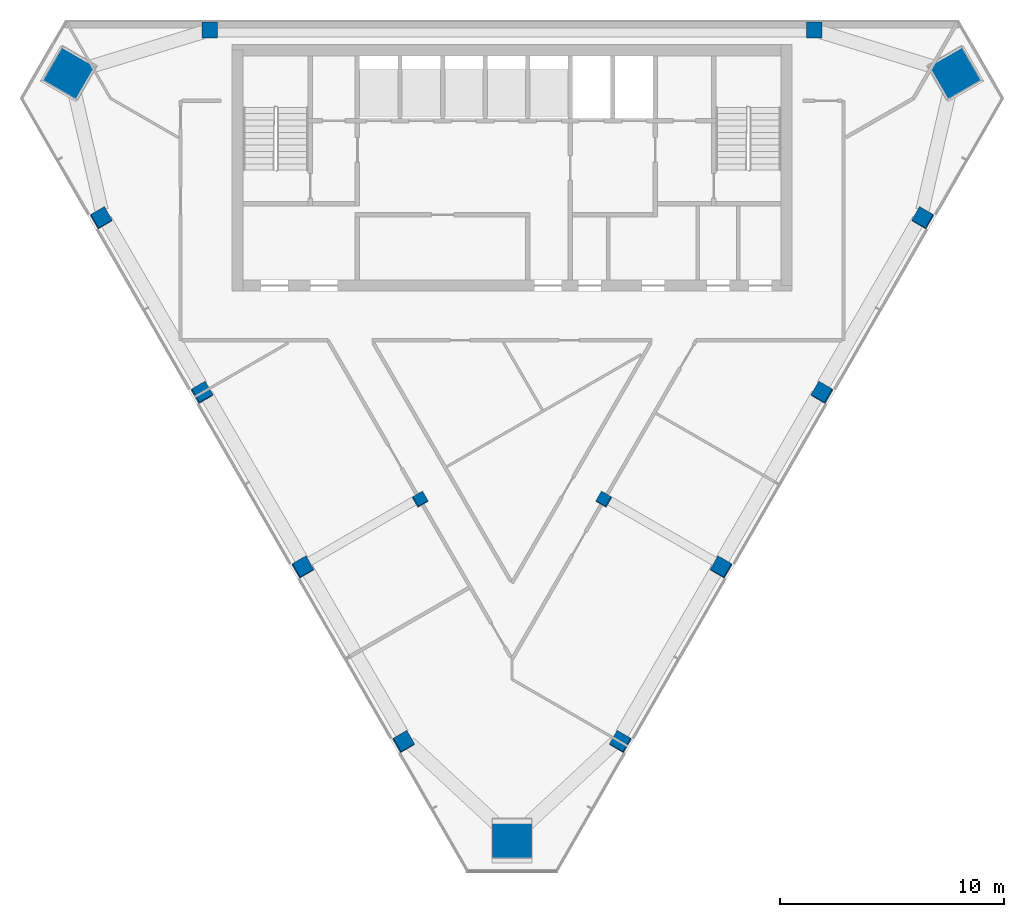
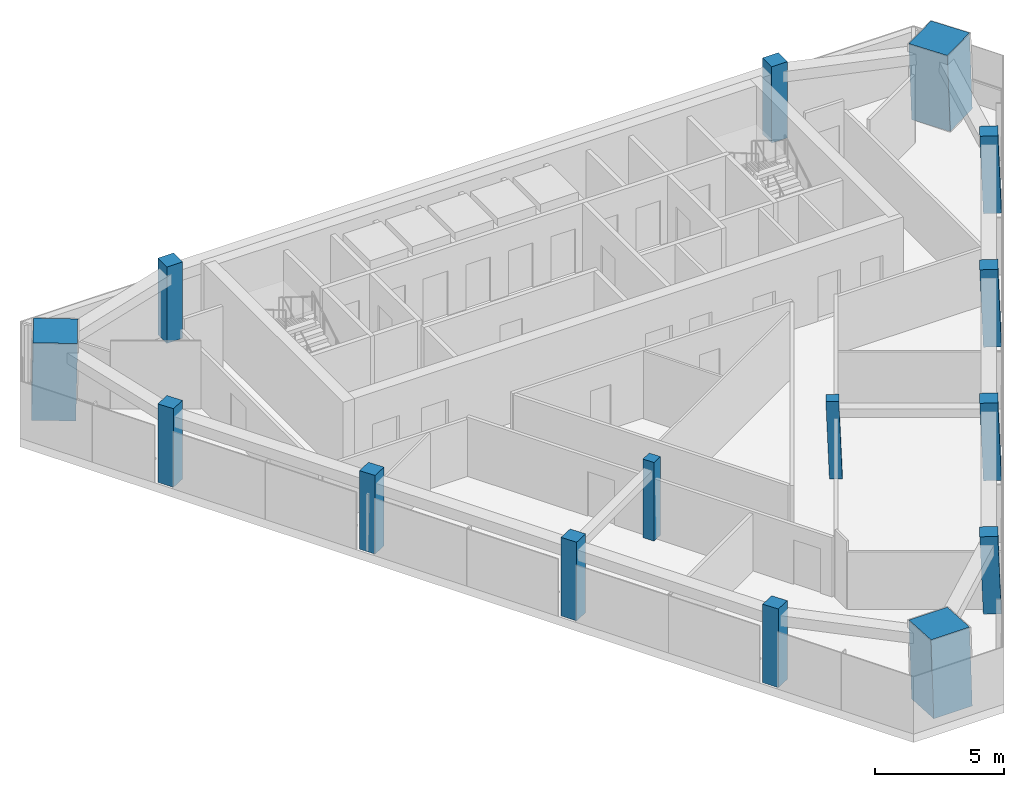
# One storey, part 1 of 9: 15 columns.
"""IFC4 building model written with IfcOpenShell, lengths in metres."""

from ifc_helpers import new_model, si_unit, direction, frame, origin, origin_2d, place, context, subcontext, project, spatial, rectangle, extrude, material, material_profile, profile_set, type_object, element, save


model = new_model("IFC4")

# Units and contexts
model_context = context("Model", 3, precision=1e-05, world=origin(), true_north=direction((0.0, 1.0)))
body_context = subcontext(model_context, "Body", "Model", "MODEL_VIEW")
ifc_project = project(units=[si_unit("LENGTHUNIT", "METRE"), si_unit("AREAUNIT", "SQUARE_METRE"), si_unit("VOLUMEUNIT", "CUBIC_METRE"), si_unit("PLANEANGLEUNIT", "RADIAN"), si_unit("MASSUNIT", "GRAM", prefix="KILO")], contexts=[model_context])

# Site, building, storey
site_placement = place(None, origin())
site = spatial("IfcSite", under=ifc_project, at=site_placement, CompositionType="ELEMENT")
building_placement = place(site_placement, origin())
building = spatial("IfcBuilding", under=site, at=building_placement, Name="Altiplano Prism Tower", CompositionType="ELEMENT")
storey_placement = place(building_placement, frame((0.0, 0.0, 305.800048828125)))
storey = spatial("IfcBuildingStorey", under=building, at=storey_placement, Name="L79", CompositionType="ELEMENT", Elevation=305.800048828125)

# Columns
ifc_material_1 = material(Name="Concrete C60/75", Category="concrete")
ifc_material_profile_1 = material_profile(ifc_material_1, rectangle(XDim=0.5, YDim=0.5, at=origin_2d()), Name="Inner column 500")
ifc_profile_set_1 = profile_set([ifc_material_profile_1], Name="Concrete C60/75")
column_type_1 = type_object("IfcColumnType", Name="Inner column 500", PredefinedType="COLUMN", material=ifc_profile_set_1)
for number, where, z_axis, x_axis, name in (
    (1, (80.886962890625, 83.58203125, -0.01513671875), (0.022222910879, 0.038415824599, 0.999014697916), (-0.866021304918, -0.498527702769, 0.038434736893), "Inner column I13 L79"),
    (2, (89.113037109375, 83.58203125, -0.01513671875), (-0.022222910879, 0.038415824599, 0.999014697916), (-0.499508333977, -0.866024832635, 0.02219039312), "Inner column I22 L79"),
):
    element("IfcColumn", number, at=place(storey_placement, frame(where, z_axis=z_axis, x_axis=x_axis)), inside=storey, type_object=column_type_1, Name=name, PredefinedType="COLUMN", context=body_context, shape_type="SweptSolid", body=[
        extrude(rectangle(XDim=0.5, YDim=0.5, at=origin_2d()), origin(), (0.0, 0.0, 1.0), 3.603515625),
    ])
ifc_material_2 = material(Name="Concrete C70/85", Category="concrete")
ifc_material_profile_2 = material_profile(ifc_material_2, rectangle(XDim=1.719970703125, YDim=1.719970703125, at=origin_2d()), Name="Mega column infill 1800")
ifc_profile_set_2 = profile_set([ifc_material_profile_2], Name="Concrete C70/85")
column_type_2 = type_object("IfcColumnType", Name="Mega column infill 1800", PredefinedType="COLUMN", material=ifc_profile_set_2)
column_1_placement = place(storey_placement, frame((65.171630859375, 102.60107421875, 0.0), z_axis=(0.028403739082, 0.009219352065, 0.999554016126), x_axis=(-0.865122977787, 0.501162431083, 0.01996123683)))
element("IfcColumn", 3, at=column_1_placement, inside=storey, type_object=column_type_2, Name="Mega column M0 L79", PredefinedType="COLUMN", context=body_context, shape_type="SweptSolid", body=[
    extrude(rectangle(XDim=1.719970703125, YDim=1.719970703125, at=origin_2d()), origin(), (0.0, 0.0, 1.0), 3.6015625),
])
column_2_placement = place(storey_placement, frame((85.0, 68.25732421875, 0.0), z_axis=(0.0, 0.058293378456, 0.998299495156), x_axis=(-1.0, 0.0, 0.0)))
element("IfcColumn", 4, at=column_2_placement, inside=storey, type_object=column_type_2, Name="Mega column M1 L79", PredefinedType="COLUMN", context=body_context, shape_type="SweptSolid", body=[
    extrude(rectangle(XDim=1.719970703125, YDim=1.719970703125, at=origin_2d()), origin(), (0.0, 0.0, 1.0), 3.60595703125),
])
column_3_placement = place(storey_placement, frame((104.828369140625, 102.60107421875, 0.0), z_axis=(-0.028403739082, 0.009219352065, 0.999554016126), x_axis=(0.500754891051, -0.865304120652, 0.022210760241)))
element("IfcColumn", 5, at=column_3_placement, inside=storey, type_object=column_type_2, Name="Mega column M2 L79", PredefinedType="COLUMN", context=body_context, shape_type="SweptSolid", body=[
    extrude(rectangle(XDim=1.719970703125, YDim=1.719970703125, at=origin_2d()), origin(), (0.0, 0.0, 1.0), 3.6015625),
])
ifc_material_profile_3 = material_profile(ifc_material_1, rectangle(XDim=0.699951171875, YDim=0.699951171875, at=origin_2d()), Name="Perimeter column 700")
ifc_profile_set_3 = profile_set([ifc_material_profile_3], Name="Concrete C60/75")
column_type_3 = type_object("IfcColumnType", Name="Perimeter column 700", PredefinedType="COLUMN", material=ifc_profile_set_3)
for number, where, z_axis, x_axis, name in (
    (6, (98.5, 104.550048828125, 0.0), (0.0, 0.0, 1.0), (1.0, 0.0, 0.0), "Perimeter column P01 L79"),
    (7, (71.5, 104.550048828125, 0.0), (0.0, 0.0, 1.0), (1.0, 0.0, 0.0), "Perimeter column P04 L79"),
):
    element("IfcColumn", number, at=place(storey_placement, frame(where, z_axis=z_axis, x_axis=x_axis)), inside=storey, type_object=column_type_3, Name=name, PredefinedType="COLUMN", context=body_context, shape_type="SweptSolid", body=[
        extrude(rectangle(XDim=0.699951171875, YDim=0.699951171875, at=origin_2d()), origin(), (0.0, 0.0, 1.0), 3.599853515625),
    ])
for number, where, z_axis, x_axis, name in (
    (8, (66.6474609375, 96.145263671875, -0.021240234375), (0.022222910879, 0.038415824599, 0.999014697916), (-0.866018628434, -0.498532343048, 0.038434855791), "Perimeter column P11 L79"),
    (9, (71.1474609375, 88.350830078125, -0.021240234375), (0.022222852987, 0.038483477124, 0.999012095419), (-0.865638208515, -0.499188700998, 0.038485487593), "Perimeter column P12 L79"),
    (10, (75.6474609375, 80.556640625, -0.021240234375), (0.022222852987, 0.038483477124, 0.999012095419), (-0.865639334647, -0.499186752034, 0.038485437567), "Perimeter column P13 L79"),
    (11, (80.1474609375, 72.762451171875, -0.021240234375), (0.022222852987, 0.038483477124, 0.999012095419), (-0.865643577248, -0.499179409403, 0.038485249093), "Perimeter column P14 L79"),
    (12, (89.8525390625, 72.762451171875, -0.021240234375), (-0.022222852987, 0.038483477124, 0.999012095419), (-0.500167313981, -0.865643656025, 0.022219784173), "Perimeter column P21 L79"),
    (13, (94.3525390625, 80.556640625, -0.021240234375), (-0.022222852987, 0.038483477124, 0.999012095419), (-0.500170003261, -0.865642105227, 0.022219664612), "Perimeter column P22 L79"),
    (14, (98.8525390625, 88.350830078125, -0.021240234375), (-0.022222852987, 0.038483477124, 0.999012095419), (-0.500176605575, -0.865638297896, 0.02221937108), "Perimeter column P23 L79"),
    (15, (103.3525390625, 96.145263671875, -0.021240234375), (-0.022222910879, 0.038415824599, 0.999014697916), (-0.49951764477, -0.86601947285, 0.0221899799), "Perimeter column P24 L79"),
):
    element("IfcColumn", number, at=place(storey_placement, frame(where, z_axis=z_axis, x_axis=x_axis)), inside=storey, type_object=column_type_3, Name=name, PredefinedType="COLUMN", context=body_context, shape_type="SweptSolid", body=[
        extrude(rectangle(XDim=0.699951171875, YDim=0.699951171875, at=origin_2d()), origin(), (0.0, 0.0, 1.0), 3.603515625),
    ])

save(model, "model.ifc")
